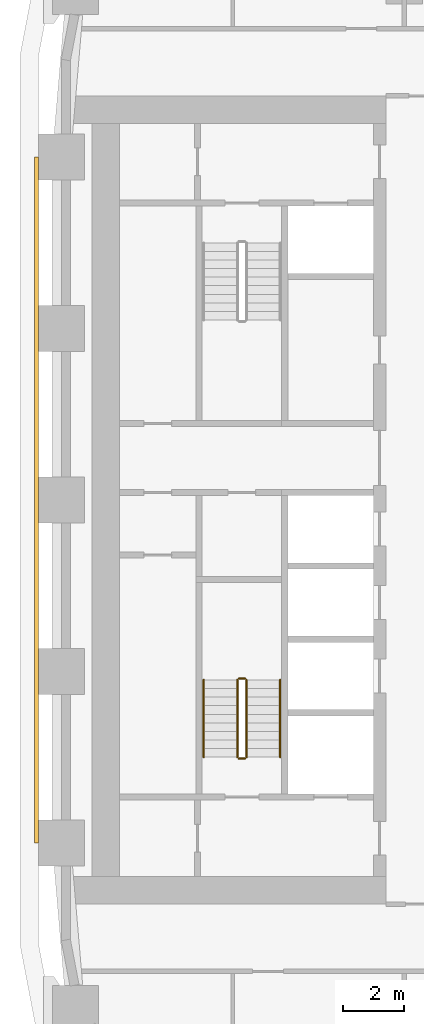
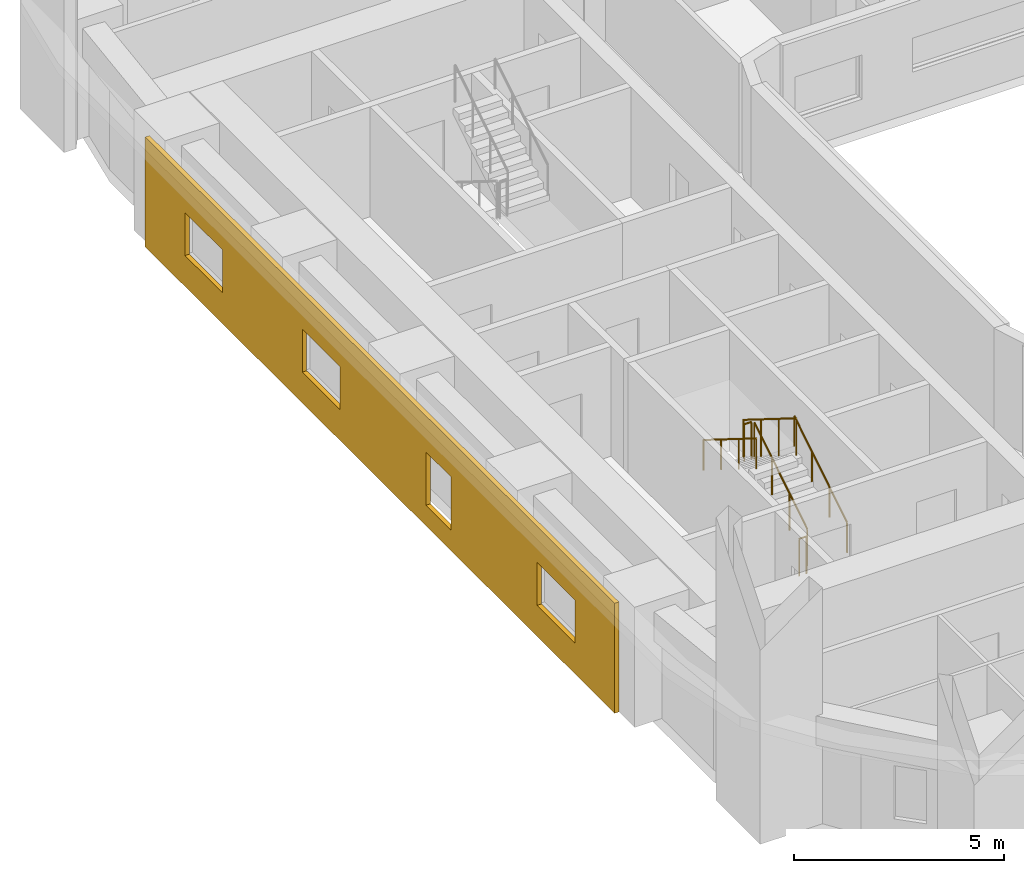
# One storey, part 12 of 21: 6 railings, 1 covering.
"""IFC4 building model written with IfcOpenShell, lengths in metres."""

from ifc_helpers import new_model, si_unit, direction, frame, origin, origin_2d, place, context, subcontext, project, spatial, polyline, circle, outline, extrude, material, layer, layer_set, type_object, element, save


model = new_model("IFC4")

# Units and contexts
model_context = context("Model", 3, precision=1e-05, world=origin(), true_north=direction((0.0, 1.0)))
body_context = subcontext(model_context, "Body", "Model", "MODEL_VIEW")
ifc_project = project(units=[si_unit("LENGTHUNIT", "METRE"), si_unit("AREAUNIT", "SQUARE_METRE"), si_unit("VOLUMEUNIT", "CUBIC_METRE"), si_unit("PLANEANGLEUNIT", "RADIAN"), si_unit("MASSUNIT", "GRAM", prefix="KILO")], contexts=[model_context])

# Site, building, storey
site_placement = place(None, origin())
site = spatial("IfcSite", under=ifc_project, at=site_placement, CompositionType="ELEMENT")
building_placement = place(site_placement, origin())
building = spatial("IfcBuilding", under=site, at=building_placement, Name="Kiln Ring Residences", CompositionType="ELEMENT")
storey_placement = place(building_placement, frame((0.0, 0.0, 30.5)))
storey = spatial("IfcBuildingStorey", under=building, at=storey_placement, Name="L06", CompositionType="ELEMENT", Elevation=30.5)

# Railings
ifc_material_1 = material(Name="Stainless steel", Category="steel")
railing_type_1 = type_object("IfcRailingType", Name="CORE-STAIR-GUARD", PredefinedType="GUARDRAIL", material=ifc_material_1)
railing_1_placement = place(storey_placement, frame((-21.949951171875, -8.39990234375, 0.175048828125)))
element("IfcRailing", 1, at=railing_1_placement, inside=storey, type_object=railing_type_1, Name="L06 W-STS stair guard 1", PredefinedType="GUARDRAIL", context=body_context, shape_type="SweptSolid", body=[
    extrude(circle(Radius=0.02392578125, at=origin_2d()), frame((0.0, 0.0, 1.076171875), z_axis=(0.0, 0.848007534815, 0.529984170421), x_axis=(-1.0, 0.0, 0.0)), (0.0, 0.0, 1.0), 2.9716796875),
    extrude(circle(Radius=0.02099609375, at=origin_2d()), origin(), (0.0, 0.0, 1.0), 1.052001953125),
    extrude(circle(Radius=0.02099609375, at=origin_2d()), frame((0.0, 0.840087890625, 0.52490234375)), (0.0, 0.0, 1.0), 1.052001953125),
    extrude(circle(Radius=0.02099609375, at=origin_2d()), frame((0.0, 1.679931640625, 1.050048828125)), (0.0, 0.0, 1.0), 1.052001953125),
    extrude(circle(Radius=0.02099609375, at=origin_2d()), frame((0.0, 2.52001953125, 1.574951171875)), (0.0, 0.0, 1.0), 1.052001953125),
])
railing_2_placement = place(storey_placement, frame((-22.0, -5.830078125, 1.75)))
element("IfcRailing", 2, at=railing_2_placement, inside=storey, type_object=railing_type_1, Name="L06 W-STS stair guard 2", PredefinedType="GUARDRAIL", context=body_context, shape_type="SweptSolid", body=[
    extrude(circle(Radius=0.02392578125, at=origin_2d()), frame((0.0, 0.0, 1.076171875), z_axis=(-1.0, 0.0, 0.0), x_axis=(0.0, -1.0, 0.0)), (0.0, 0.0, 1.0), 0.199951171875),
    extrude(circle(Radius=0.02099609375, at=origin_2d()), origin(), (0.0, 0.0, 1.0), 1.052001953125),
    extrude(circle(Radius=0.02099609375, at=origin_2d()), frame((-0.199951171875, 0.0, 0.0)), (0.0, 0.0, 1.0), 1.052001953125),
])
railing_3_placement = place(storey_placement, frame((-22.25, -5.8798828125, 1.925048828125)))
element("IfcRailing", 3, at=railing_3_placement, inside=storey, type_object=railing_type_1, Name="L06 W-STS stair guard 3", PredefinedType="GUARDRAIL", context=body_context, shape_type="SweptSolid", body=[
    extrude(circle(Radius=0.02392578125, at=origin_2d()), frame((0.0, 0.0, 1.076171875), z_axis=(0.0, -0.848007534815, 0.529984170421), x_axis=(1.0, 0.0, 0.0)), (0.0, 0.0, 1.0), 2.9716796875),
    extrude(circle(Radius=0.02099609375, at=origin_2d()), origin(), (0.0, 0.0, 1.0), 1.052001953125),
    extrude(circle(Radius=0.02099609375, at=origin_2d()), frame((0.0, -0.840087890625, 0.52490234375)), (0.0, 0.0, 1.0), 1.052001953125),
    extrude(circle(Radius=0.02099609375, at=origin_2d()), frame((0.0, -1.679931640625, 1.050048828125)), (0.0, 0.0, 1.0), 1.052001953125),
    extrude(circle(Radius=0.02099609375, at=origin_2d()), frame((0.0, -2.52001953125, 1.574951171875)), (0.0, 0.0, 1.0), 1.052001953125),
])
railing_4_placement = place(storey_placement, frame((-22.0, -8.449951171875, 0.0)))
element("IfcRailing", 4, at=railing_4_placement, inside=storey, type_object=railing_type_1, Name="L06 W-STS stair guard 4", PredefinedType="GUARDRAIL", context=body_context, shape_type="SweptSolid", body=[
    extrude(circle(Radius=0.02392578125, at=origin_2d()), frame((0.0, 0.0, 1.076171875), z_axis=(-1.0, 0.0, 0.0), x_axis=(0.0, -1.0, 0.0)), (0.0, 0.0, 1.0), 0.199951171875),
    extrude(circle(Radius=0.02099609375, at=origin_2d()), origin(), (0.0, 0.0, 1.0), 1.052001953125),
    extrude(circle(Radius=0.02099609375, at=origin_2d()), frame((-0.199951171875, 0.0, 0.0)), (0.0, 0.0, 1.0), 1.052001953125),
])
ifc_material_2 = material(Name="Stainless steel", Category="steel")
railing_type_2 = type_object("IfcRailingType", Name="CORE-STAIR-HANDRAIL", PredefinedType="HANDRAIL", material=ifc_material_2)
railing_5_placement = place(storey_placement, frame((-20.85009765625, -8.39990234375, 0.175048828125)))
element("IfcRailing", 5, at=railing_5_placement, inside=storey, type_object=railing_type_2, Name="L06 W-STS stair handrail 1", PredefinedType="HANDRAIL", context=body_context, shape_type="SweptSolid", body=[
    extrude(circle(Radius=0.02392578125, at=origin_2d()), frame((0.0, 0.0, 0.8759765625), z_axis=(0.0, 0.848007534815, 0.529984170421), x_axis=(-1.0, 0.0, 0.0)), (0.0, 0.0, 1.0), 2.9716796875),
    extrude(circle(Radius=0.02099609375, at=origin_2d()), origin(), (0.0, 0.0, 1.0), 0.851806640625),
    extrude(circle(Radius=0.02099609375, at=origin_2d()), frame((0.0, 0.840087890625, 0.52490234375)), (0.0, 0.0, 1.0), 0.851806640625),
    extrude(circle(Radius=0.02099609375, at=origin_2d()), frame((0.0, 1.679931640625, 1.050048828125)), (0.0, 0.0, 1.0), 0.851806640625),
    extrude(circle(Radius=0.02099609375, at=origin_2d()), frame((0.0, 2.52001953125, 1.574951171875)), (0.0, 0.0, 1.0), 0.851806640625),
])
railing_6_placement = place(storey_placement, frame((-23.35009765625, -5.8798828125, 1.925048828125)))
element("IfcRailing", 6, at=railing_6_placement, inside=storey, type_object=railing_type_2, Name="L06 W-STS stair handrail 2", PredefinedType="HANDRAIL", context=body_context, shape_type="SweptSolid", body=[
    extrude(circle(Radius=0.02392578125, at=origin_2d()), frame((0.0, 0.0, 0.8759765625), z_axis=(0.0, -0.848007534815, 0.529984170421), x_axis=(1.0, 0.0, 0.0)), (0.0, 0.0, 1.0), 2.9716796875),
    extrude(circle(Radius=0.02099609375, at=origin_2d()), origin(), (0.0, 0.0, 1.0), 0.851806640625),
    extrude(circle(Radius=0.02099609375, at=origin_2d()), frame((0.0, -0.840087890625, 0.52490234375)), (0.0, 0.0, 1.0), 0.851806640625),
    extrude(circle(Radius=0.02099609375, at=origin_2d()), frame((0.0, -1.679931640625, 1.050048828125)), (0.0, 0.0, 1.0), 0.851806640625),
    extrude(circle(Radius=0.02099609375, at=origin_2d()), frame((0.0, -2.52001953125, 1.574951171875)), (0.0, 0.0, 1.0), 0.851806640625),
])

# Covering
ifc_material_3 = material(Name="Brick masonry, dark clay brick", Category="masonry")
ifc_layer = layer(ifc_material_3, 0.1201171875)
ifc_layer_set = layer_set([ifc_layer], Name="RAINSCREEN PANEL 120")
covering_type = type_object("IfcCoveringType", Name="RAINSCREEN PANEL 120", PredefinedType="CLADDING", material=ifc_layer_set)
covering_placement = place(storey_placement, frame((-28.81005859375, 11.199951171875, 0.0), z_axis=(0.0, 0.0, 1.0), x_axis=(0.0, -1.0, 0.0)))
element("IfcCovering", 7, at=covering_placement, inside=storey, type_object=covering_type, Name="RAINSCREEN L06", PredefinedType="CLADDING", context=body_context, shape_type="SweptSolid", body=[
    extrude(outline(polyline([(0.0, 0.0), (22.39990234375, 0.0), (22.39990234375, 3.199951171875), (0.0, 3.199951171875), (0.0, 0.0)]), holes=[polyline([(14.60009765625, 0.60009765625), (14.60009765625, 2.14990234375), (13.39990234375, 2.14990234375), (13.39990234375, 0.60009765625), (14.60009765625, 0.60009765625)]), polyline([(3.699951171875, 0.89990234375), (3.699951171875, 2.14990234375), (1.89990234375, 2.14990234375), (1.89990234375, 0.89990234375), (3.699951171875, 0.89990234375)]), polyline([(9.300048828125, 0.89990234375), (9.300048828125, 2.14990234375), (7.5, 2.14990234375), (7.5, 0.89990234375), (9.300048828125, 0.89990234375)]), polyline([(20.5, 0.89990234375), (20.5, 2.14990234375), (18.699951171875, 2.14990234375), (18.699951171875, 0.89990234375), (20.5, 0.89990234375)])]), frame((0.0, 0.06005859375, 0.0), z_axis=(0.0, -1.0, 0.0), x_axis=(1.0, 0.0, 0.0)), (0.0, 0.0, 1.0), 0.1201171875),
])

save(model, "model.ifc")
